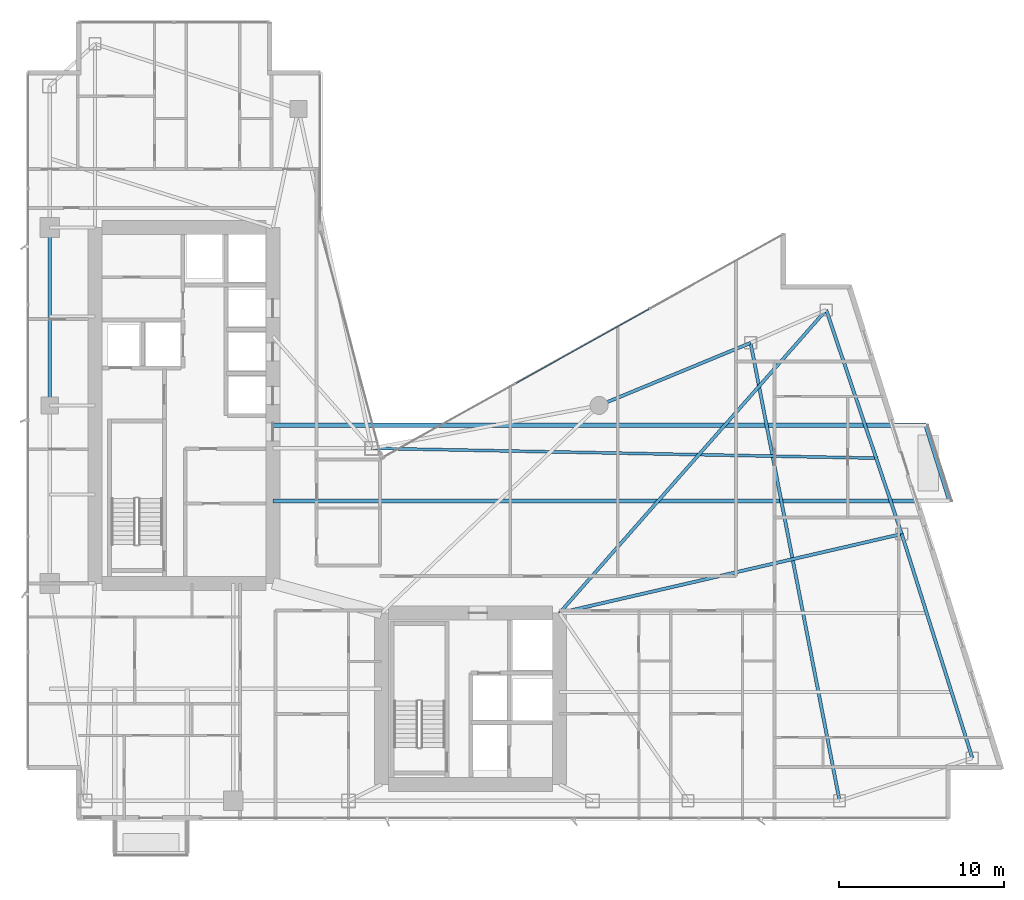
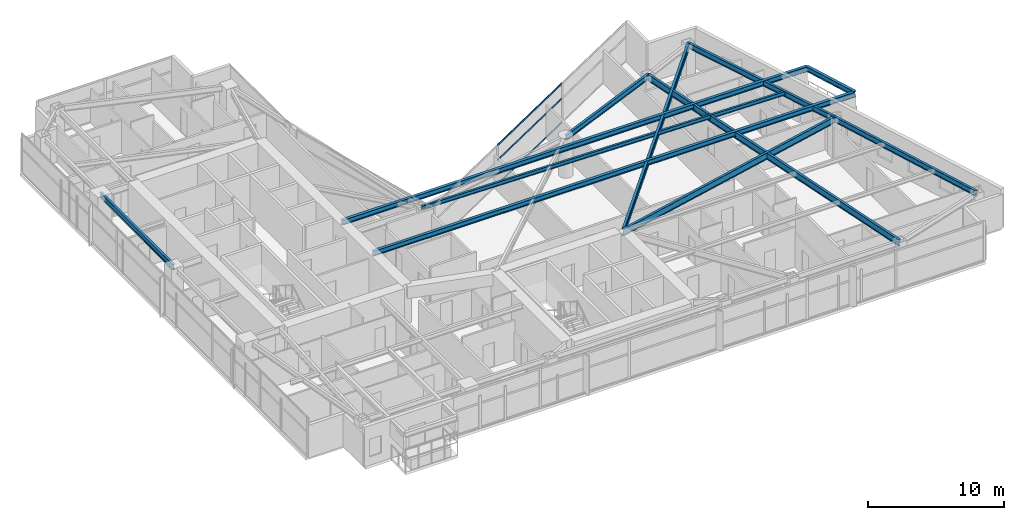
# One storey, part 15 of 28: 11 beams, 3 members, 1 element without a shape of its own.
"""IFC4 building model written with IfcOpenShell, lengths in metres."""

import ifcopenshell
import ifcopenshell.guid

model = None  # the IFC model being written
_history = None  # IfcOwnerHistory: only IFC2X3 demands one
_inside = {}  # id of a spatial element -> (the spatial element, [elements in it])
_under = {}  # id of a project, library or spatial element -> (it, [spatial elements below it])
_declared = {}  # id of a project -> (the project, [libraries it declares])
_typed = {}  # id of a type object -> (the type object, [elements of that type])
_made_of = {}  # id of a material, layer set ... -> (it, [elements and type objects made of it])


def new_model(schema):
    """Start an empty IFC model of exactly this schema.

    Asked for "IFC4X3", IfcOpenShell would pick the latest addendum, in which some entities
    have other attributes; the version numbers below select the first issue.
    IFC2X3 requires an IfcOwnerHistory on every rooted entity: one is made here for all.
    """
    global model, _history
    if schema == "IFC4X3":
        model = ifcopenshell.file(schema_version=(4, 3, 0, 0))
    else:
        model = ifcopenshell.file(schema=schema)
    _inside.clear()
    _under.clear()
    _declared.clear()
    _typed.clear()
    _made_of.clear()
    _history = None
    if model.schema == "IFC2X3":
        org = make("IfcOrganization", Name="unknown")
        user = make(
            "IfcPersonAndOrganization",
            ThePerson=make("IfcPerson", FamilyName="unknown"),
            TheOrganization=org,
        )
        app = make(
            "IfcApplication",
            ApplicationDeveloper=org,
            Version="unknown",
            ApplicationFullName="unknown",
            ApplicationIdentifier="unknown",
        )
        _history = make(
            "IfcOwnerHistory",
            OwningUser=user,
            OwningApplication=app,
            ChangeAction="ADDED",
            CreationDate=0,
        )
    return model


def make(cls, **values):
    """One entity of the class cls with the attributes given. An attribute that is None is left unset."""
    return model.create_entity(
        cls, **{name: value for name, value in values.items() if value is not None}
    )


def rooted(cls, **values):
    """An entity with a GlobalId (a new one), such as an element, a storey or a relation."""
    return make(cls, GlobalId=ifcopenshell.guid.new(), OwnerHistory=_history, **values)


def si_unit(unit_type, name, prefix=None):
    """IfcSIUnit, for example si_unit("LENGTHUNIT", "METRE", prefix="MILLI")."""
    return make("IfcSIUnit", UnitType=unit_type, Prefix=prefix, Name=name)


def assignment(units):
    """IfcUnitAssignment: the units of a project."""
    return None if units is None else make("IfcUnitAssignment", Units=units)


def point(xyz):
    """IfcCartesianPoint."""
    return None if xyz is None else make("IfcCartesianPoint", Coordinates=xyz)


def direction(xyz):
    """IfcDirection."""
    return None if xyz is None else make("IfcDirection", DirectionRatios=xyz)


def frame(location, z_axis=None, x_axis=None):
    """IfcAxis2Placement3D, a coordinate frame: its origin and axes. An axis left out is left unset."""
    return make(
        "IfcAxis2Placement3D",
        Location=point(location),
        Axis=direction(z_axis),
        RefDirection=direction(x_axis),
    )


def frame_2d(location, x_axis=None):
    """IfcAxis2Placement2D, a coordinate frame in the plane: its origin and x axis."""
    return make(
        "IfcAxis2Placement2D", Location=point(location), RefDirection=direction(x_axis)
    )


def origin():
    """The frame at (0, 0, 0) with its axes left unset."""
    return frame((0.0, 0.0, 0.0))


def origin_2d():
    """The frame at (0, 0) in the plane with its x axis left unset."""
    return frame_2d((0.0, 0.0))


def place(relative_to, where):
    """IfcLocalPlacement: puts the frame where relative to a parent placement (None: the world)."""
    return make(
        "IfcLocalPlacement", PlacementRelTo=relative_to, RelativePlacement=where
    )


def context(
    kind, dimensions, precision=None, world=None, true_north=None, identifier=None
):
    """IfcGeometricRepresentationContext, for example the 3D "Model" context."""
    return make(
        "IfcGeometricRepresentationContext",
        ContextIdentifier=identifier,
        ContextType=kind,
        CoordinateSpaceDimension=dimensions,
        Precision=precision,
        WorldCoordinateSystem=world,
        TrueNorth=true_north,
    )


def subcontext(parent, identifier, kind, view, scale=None):
    """IfcGeometricRepresentationSubContext, for example "Body" below "Model"."""
    return make(
        "IfcGeometricRepresentationSubContext",
        ContextIdentifier=identifier,
        ContextType=kind,
        ParentContext=parent,
        TargetScale=scale,
        TargetView=view,
    )


def project(units=None, contexts=None):
    """IfcProject with its units and contexts."""
    return rooted(
        "IfcProject",
        Name="project",
        RepresentationContexts=contexts,
        UnitsInContext=assignment(units),
    )


def spatial(cls, under=None, at=None, **own):
    """A site, building, storey or space (cls), placed at a placement, below another one or the project."""
    s = rooted(cls, ObjectPlacement=at, **own)
    if under is not None:
        _under.setdefault(under.id(), (under, []))[1].append(s)
    return s


def profile(cls, at=None, kind="AREA", **sizes):
    """A parametric profile (cls). Its sizes go by their IFC names, for example OverallWidth=200.0."""
    return make(cls, ProfileType=kind, Position=at, **sizes)


def hollow_rectangle(**sizes):
    """IfcRectangleHollowProfileDef."""
    return profile("IfcRectangleHollowProfileDef", **sizes)


def i_section(**sizes):
    """IfcIShapeProfileDef."""
    return profile("IfcIShapeProfileDef", **sizes)


def extrude(swept, where, along, depth):
    """IfcExtrudedAreaSolid: the profile swept, set in the frame where, extruded along a direction by depth."""
    return make(
        "IfcExtrudedAreaSolid",
        SweptArea=swept,
        Position=where,
        ExtrudedDirection=direction(along),
        Depth=depth,
    )


def shape(context_of_items, identifier, shape_type, items):
    """IfcShapeRepresentation: the items that make up one representation, for example the "Body"."""
    return make(
        "IfcShapeRepresentation",
        ContextOfItems=context_of_items,
        RepresentationIdentifier=identifier,
        RepresentationType=shape_type,
        Items=items,
    )


def material(Name=None, Category=None):
    """IfcMaterial."""
    return make("IfcMaterial", Name=Name, Category=Category)


def layer(
    of_material, thickness, ventilated=None, Name=None, Category=None, Priority=None
):
    """IfcMaterialLayer: one layer of a wall or slab, of a material (None: an air gap)."""
    return make(
        "IfcMaterialLayer",
        Material=of_material,
        LayerThickness=thickness,
        IsVentilated=ventilated,
        Name=Name,
        Category=Category,
        Priority=Priority,
    )


def layer_set(layers, Name=None):
    """IfcMaterialLayerSet."""
    return make("IfcMaterialLayerSet", MaterialLayers=layers, LayerSetName=Name)


def material_profile(
    of_material, cross_section, Name=None, Category=None, Priority=None
):
    """IfcMaterialProfile: a cross section and its material."""
    return make(
        "IfcMaterialProfile",
        Name=Name,
        Material=of_material,
        Profile=cross_section,
        Priority=Priority,
        Category=Category,
    )


def profile_set(profiles, Name=None, composite=None):
    """IfcMaterialProfileSet."""
    return make(
        "IfcMaterialProfileSet",
        Name=Name,
        MaterialProfiles=profiles,
        CompositeProfile=composite,
    )


def made_of(thing, what):
    """Note that an element or type object is made of a material, layer set ...; save() writes the relation."""
    if what is not None:
        _made_of.setdefault(what.id(), (what, []))[1].append(thing)
    return thing


def type_object(cls, material=None, **own):
    """A type object (cls), such as IfcWallType, which elements share."""
    return made_of(rooted(cls, **own), material)


def element(
    cls,
    number,
    at=None,
    inside=None,
    cuts=None,
    type_object=None,
    material=None,
    context=None,
    identifier="Body",
    shape_type=None,
    held_by="IfcProductDefinitionShape",
    body=None,
    shapes=None,
    **own,
):
    """One element of the class cls, such as IfcWall. Its Tag is "e" and its number.

    at: its placement. inside: the storey or other place that contains it. cuts: it is an
    opening in that element (IfcRelVoidsElement). A single representation is given by context,
    identifier, shape_type and body (its items); several are given by shapes. held_by: the class
    of the entity that holds the representations. save() writes the other relations.
    """
    e = rooted(cls, Tag="e%d" % number, ObjectPlacement=at, **own)
    if body is not None:
        shapes = [shape(context, identifier, shape_type, body)]
    if shapes is not None:
        e.Representation = make(held_by, Representations=shapes)
    if inside is not None:
        _inside.setdefault(inside.id(), (inside, []))[1].append(e)
    if cuts is not None:
        rooted(
            "IfcRelVoidsElement", RelatingBuildingElement=cuts, RelatedOpeningElement=e
        )
    if type_object is not None:
        _typed.setdefault(type_object.id(), (type_object, []))[1].append(e)
    return made_of(e, material)


def aggregate(whole, parts):
    """IfcRelAggregates: a whole, such as a stair, and the parts it consists of."""
    return rooted("IfcRelAggregates", RelatingObject=whole, RelatedObjects=parts)


def save(model, path):
    """Write the relations noted so far, then the file.

    IfcRelAggregates (storeys below a building ...), IfcRelContainedInSpatialStructure (elements
    in a storey), IfcRelDefinesByType, IfcRelAssociatesMaterial and IfcRelDeclares: one each for
    every whole, place, type object, material and project.
    """
    for whole, parts in _under.values():
        aggregate(whole, parts)
    for where, things in _inside.values():
        rooted(
            "IfcRelContainedInSpatialStructure",
            RelatedElements=things,
            RelatingStructure=where,
        )
    for kind, things in _typed.values():
        rooted("IfcRelDefinesByType", RelatedObjects=things, RelatingType=kind)
    for what, things in _made_of.values():
        rooted("IfcRelAssociatesMaterial", RelatedObjects=things, RelatingMaterial=what)
    for by, libraries in _declared.values():
        rooted("IfcRelDeclares", RelatingContext=by, RelatedDefinitions=libraries)
    model.write(path)


model = new_model("IFC4")

# Units and contexts
model_context = context("Model", 3, precision=1e-05, world=origin(), true_north=direction((0.0, 1.0)))
body_context = subcontext(model_context, "Body", "Model", "MODEL_VIEW")
ifc_project = project(units=[si_unit("LENGTHUNIT", "METRE"), si_unit("AREAUNIT", "SQUARE_METRE"), si_unit("VOLUMEUNIT", "CUBIC_METRE"), si_unit("PLANEANGLEUNIT", "RADIAN"), si_unit("MASSUNIT", "GRAM", prefix="KILO")], contexts=[model_context])

# Site, building, storey
site_placement = place(None, origin())
site = spatial("IfcSite", under=ifc_project, at=site_placement, CompositionType="ELEMENT")
building_placement = place(site_placement, origin())
building = spatial("IfcBuilding", under=site, at=building_placement, Name="Calvorn Quay Hotel", CompositionType="ELEMENT")
storey_placement = place(building_placement, frame((0.0, 0.0, 159.89990234375)))
storey = spatial("IfcBuildingStorey", under=building, at=storey_placement, Name="L39", CompositionType="ELEMENT", Elevation=159.89990234375)

# Beams
ifc_material_1 = material(Name="Steel Q355B", Category="steel")
ifc_material_profile_1 = material_profile(ifc_material_1, i_section(OverallWidth=0.25, OverallDepth=0.449951171875, WebThickness=0.011962890625, FlangeThickness=0.01611328125, FilletRadius=0.01611328125, at=origin_2d()), Name="HN450x250x12x16")
ifc_profile_set_1 = profile_set([ifc_material_profile_1], Name="Steel Q355B")
beam_type_1 = type_object("IfcBeamType", Name="BM-CANT-BALC", PredefinedType="BEAM", material=ifc_profile_set_1)
beam_1_placement = place(storey_placement, frame((15.0, 21.800048828125, 3.315185546875), z_axis=(1.0, 0.0, 0.0), x_axis=(0.0, 1.0, 0.0)))
element("IfcBeam", 1, at=beam_1_placement, inside=storey, type_object=beam_type_1, Name="Cantilever Balcony Beam BCB-L40-1A", PredefinedType="BEAM", context=body_context, shape_type="SweptSolid", body=[
    extrude(i_section(OverallWidth=0.25, OverallDepth=0.449951171875, WebThickness=0.011962890625, FlangeThickness=0.01611328125, FilletRadius=0.01611328125, at=origin_2d()), origin(), (0.0, 0.0, 1.0), 41.0859375),
])
beam_2_placement = place(storey_placement, frame((15.0, 26.39990234375, 3.315185546875), z_axis=(1.0, 0.0, 0.0), x_axis=(0.0, 1.0, 0.0)))
element("IfcBeam", 2, at=beam_2_placement, inside=storey, type_object=beam_type_1, Name="Cantilever Balcony Beam BCB-L40-1B", PredefinedType="BEAM", context=body_context, shape_type="SweptSolid", body=[
    extrude(i_section(OverallWidth=0.25, OverallDepth=0.449951171875, WebThickness=0.011962890625, FlangeThickness=0.01611328125, FilletRadius=0.01611328125, at=origin_2d()), origin(), (0.0, 0.0, 1.0), 39.636962890625),
])
beam_3_placement = place(storey_placement, frame((56.0859375, 21.800048828125, 3.315185546875), z_axis=(-0.300450487966, 0.953797412599, 0.0), x_axis=(-0.953797412599, -0.300450487966, 0.0)))
element("IfcBeam", 3, at=beam_3_placement, inside=storey, type_object=beam_type_1, Name="Beam BCBO-L40-1", PredefinedType="BEAM", context=body_context, shape_type="SweptSolid", body=[
    extrude(i_section(OverallWidth=0.25, OverallDepth=0.449951171875, WebThickness=0.011962890625, FlangeThickness=0.01611328125, FilletRadius=0.01611328125, at=origin_2d()), origin(), (0.0, 0.0, 1.0), 4.82275390625),
])
ifc_material_2 = material(Name="Steel Q355B", Category="steel")
ifc_material_profile_2 = material_profile(ifc_material_2, i_section(OverallWidth=0.199951171875, OverallDepth=0.60009765625, WebThickness=0.010986328125, FlangeThickness=0.01708984375, FilletRadius=0.01806640625, at=origin_2d()), Name="HN600x200x11x17")
ifc_profile_set_2 = profile_set([ifc_material_profile_2], Name="Steel Q355B")
beam_type_2 = type_object("IfcBeamType", Name="BM-GIRD-TYP", PredefinedType="BEAM", material=ifc_profile_set_2)
beam_4_placement = place(storey_placement, frame((32.39990234375, 15.0, 3.239990234375), z_axis=(0.974334045812, 0.225107012711, 0.0), x_axis=(-0.225107012711, 0.974334045812, 0.0)))
element("IfcBeam", 4, at=beam_4_placement, inside=storey, type_object=beam_type_2, Name="Beam BG-L39-E2", PredefinedType="BEAM", context=body_context, shape_type="SweptSolid", body=[
    extrude(i_section(OverallWidth=0.199951171875, OverallDepth=0.60009765625, WebThickness=0.010986328125, FlangeThickness=0.01708984375, FilletRadius=0.01806640625, at=origin_2d()), origin(), (0.0, 0.0, 1.0), 21.323486328125),
])
beam_5_placement = place(storey_placement, frame((32.39990234375, 15.0, 3.239990234375), z_axis=(0.660610604248, 0.750728732336, 0.0), x_axis=(-0.750728732336, 0.660610604248, 0.0)))
element("IfcBeam", 5, at=beam_5_placement, inside=storey, type_object=beam_type_2, Name="Beam BG-L39-E3", PredefinedType="BEAM", context=body_context, shape_type="SweptSolid", body=[
    extrude(i_section(OverallWidth=0.199951171875, OverallDepth=0.60009765625, WebThickness=0.010986328125, FlangeThickness=0.01708984375, FilletRadius=0.01806640625, at=origin_2d()), origin(), (0.0, 0.0, 1.0), 24.50927734375),
])
beam_6_placement = place(storey_placement, frame((49.39990234375, 3.60009765625, 3.239990234375), z_axis=(-0.190678596862, 0.981652521363, 0.0), x_axis=(-0.981652521363, -0.190678596862, 0.0)))
element("IfcBeam", 6, at=beam_6_placement, inside=storey, type_object=beam_type_2, Name="Beam BG-L39-E5", PredefinedType="BEAM", context=body_context, shape_type="SweptSolid", body=[
    extrude(i_section(OverallWidth=0.199951171875, OverallDepth=0.60009765625, WebThickness=0.010986328125, FlangeThickness=0.01708984375, FilletRadius=0.01806640625, at=origin_2d()), origin(), (0.0, 0.0, 1.0), 28.3193359375),
])
ifc_material_3 = material(Name="Steel Q355B", Category="steel")
ifc_material_profile_3 = material_profile(ifc_material_3, i_section(OverallWidth=0.175048828125, OverallDepth=0.35009765625, WebThickness=0.007080078125, FlangeThickness=0.010986328125, FilletRadius=0.013916015625, at=origin_2d()), Name="HN350x175x7x11")
ifc_profile_set_3 = profile_set([ifc_material_profile_3], Name="Steel Q355B")
beam_type_3 = type_object("IfcBeamType", Name="BM-JOIST-SEC", PredefinedType="JOIST", material=ifc_profile_set_3)
beam_7_placement = place(storey_placement, frame((21.0, 25.0, 3.364990234375), z_axis=(0.999809345134, -0.019526222968, 0.0), x_axis=(0.019526222968, 0.999809345134, 0.0)))
element("IfcBeam", 7, at=beam_7_placement, inside=storey, type_object=beam_type_3, Name="Beam BJ-L39-E3", PredefinedType="JOIST", context=body_context, shape_type="SweptSolid", body=[
    extrude(i_section(OverallWidth=0.175048828125, OverallDepth=0.35009765625, WebThickness=0.007080078125, FlangeThickness=0.010986328125, FilletRadius=0.013916015625, at=origin_2d()), origin(), (0.0, 0.0, 1.0), 30.73291015625),
])
ifc_material_4 = material(Name="Steel Q355B", Category="steel")
ifc_material_profile_4 = material_profile(ifc_material_4, i_section(OverallWidth=0.199951171875, OverallDepth=0.5, WebThickness=0.010009765625, FlangeThickness=0.01611328125, FilletRadius=0.01611328125, at=origin_2d()), Name="HN500x200x10x16")
ifc_profile_set_4 = profile_set([ifc_material_profile_4], Name="Steel Q355B")
beam_type_4 = type_object("IfcBeamType", Name="BM-SPANDREL-Z1", PredefinedType="SPANDREL", material=ifc_profile_set_4)
beam_8_placement = place(storey_placement, frame((1.449951171875, 27.60009765625, 3.2900390625), z_axis=(0.0, 1.0, 0.0), x_axis=(-1.0, 0.0, 0.0)))
element("IfcBeam", 8, at=beam_8_placement, inside=storey, type_object=beam_type_4, Name="Beam BSP-L39-W3", PredefinedType="SPANDREL", context=body_context, shape_type="SweptSolid", body=[
    extrude(i_section(OverallWidth=0.199951171875, OverallDepth=0.5, WebThickness=0.010009765625, FlangeThickness=0.01611328125, FilletRadius=0.01611328125, at=origin_2d()), origin(), (0.0, 0.0, 1.0), 10.7998046875),
])
beam_9_placement = place(storey_placement, frame((57.4609375, 6.199951171875, 3.2900390625), z_axis=(-0.300502802767, 0.953780931624, 0.0), x_axis=(-0.953780931624, -0.300502802767, 0.0)))
element("IfcBeam", 9, at=beam_9_placement, inside=storey, type_object=beam_type_4, Name="Beam BSP-L39-E1", PredefinedType="SPANDREL", context=body_context, shape_type="SweptSolid", body=[
    extrude(i_section(OverallWidth=0.199951171875, OverallDepth=0.5, WebThickness=0.010009765625, FlangeThickness=0.01611328125, FilletRadius=0.01611328125, at=origin_2d()), origin(), (0.0, 0.0, 1.0), 14.259033203125),
])
beam_10_placement = place(storey_placement, frame((53.176025390625, 19.800048828125, 3.2900390625), z_axis=(-0.319466515944, 0.947597564998, 0.0), x_axis=(-0.947597564998, -0.319466515944, 0.0)))
element("IfcBeam", 10, at=beam_10_placement, inside=storey, type_object=beam_type_4, Name="Beam BSP-L39-E2", PredefinedType="SPANDREL", context=body_context, shape_type="SweptSolid", body=[
    extrude(i_section(OverallWidth=0.199951171875, OverallDepth=0.5, WebThickness=0.010009765625, FlangeThickness=0.01611328125, FilletRadius=0.01611328125, at=origin_2d()), origin(), (0.0, 0.0, 1.0), 14.35205078125),
])
beam_11_placement = place(storey_placement, frame((44.0, 31.39990234375, 3.2900390625), z_axis=(-0.92426763497, -0.381745123017, 0.0), x_axis=(0.381745123017, -0.92426763497, 0.0)))
element("IfcBeam", 11, at=beam_11_placement, inside=storey, type_object=beam_type_4, Name="Beam BSP-L39-E4", PredefinedType="SPANDREL", context=body_context, shape_type="SweptSolid", body=[
    extrude(i_section(OverallWidth=0.199951171875, OverallDepth=0.5, WebThickness=0.010009765625, FlangeThickness=0.01611328125, FilletRadius=0.01611328125, at=origin_2d()), origin(), (0.0, 0.0, 1.0), 9.953857421875),
])

# Curtain wall, members
ifc_material_5 = material(Name="Pale Anodised Aluminium and Low-E Glass", Category="aluminium")
ifc_layer = layer(ifc_material_5, 0.219970703125)
ifc_layer_set = layer_set([ifc_layer], Name="CW-SYS-Z2")
curtain_wall_type = type_object("IfcCurtainWallType", Name="CW-SYS-Z2", PredefinedType="NOTDEFINED", material=ifc_layer_set)
curtain_wall_placement = place(storey_placement, origin())
curtain_wall = element("IfcCurtainWall", 12, at=curtain_wall_placement, inside=storey, type_object=curtain_wall_type, Name="Inner Court Curtain Wall L39-NE1", PredefinedType="NOTDEFINED")
ifc_material_6 = material(Name="Pale Anodised Aluminium 6063-T6", Category="aluminium")
ifc_material_profile_5 = material_profile(ifc_material_6, hollow_rectangle(XDim=0.06005859375, YDim=0.14990234375, WallThickness=0.00341796875, at=origin_2d()), Name="ALU-T150x60x3.5")
ifc_profile_set_5 = profile_set([ifc_material_profile_5], Name="Pale Anodised Aluminium 6063-T6")
member_type = type_object("IfcMemberType", Name="CW-SYS-Z2-TRN", PredefinedType="USERDEFINED", material=ifc_profile_set_5)
member_1_placement = place(storey_placement, frame((37.840576171875, 33.4521484375, 0.030029296875), z_axis=(-0.873483012802, -0.486854625474, 0.0), x_axis=(0.486854625474, -0.873483012802, 0.0)))
member_1 = element("IfcMember", 13, at=member_1_placement, type_object=member_type, Name="CW-L39-NE1 transom 2.1", ObjectType="TRANSOM", PredefinedType="USERDEFINED", context=body_context, shape_type="SweptSolid", body=[
    extrude(hollow_rectangle(XDim=0.06005859375, YDim=0.14990234375, WallThickness=0.00341796875, at=origin_2d()), origin(), (0.0, 0.0, 1.0), 9.25146484375),
])
member_2_placement = place(storey_placement, frame((37.840576171875, 33.4521484375, 2.2001953125), z_axis=(-0.873483012802, -0.486854625474, 0.0), x_axis=(0.486854625474, -0.873483012802, 0.0)))
member_2 = element("IfcMember", 14, at=member_2_placement, type_object=member_type, Name="CW-L39-NE1 transom 2.2", ObjectType="TRANSOM", PredefinedType="USERDEFINED", context=body_context, shape_type="SweptSolid", body=[
    extrude(hollow_rectangle(XDim=0.06005859375, YDim=0.14990234375, WallThickness=0.00341796875, at=origin_2d()), origin(), (0.0, 0.0, 1.0), 9.25146484375),
])
member_3_placement = place(storey_placement, frame((37.840576171875, 33.4521484375, 3.530029296875), z_axis=(-0.873483012802, -0.486854625474, 0.0), x_axis=(0.486854625474, -0.873483012802, 0.0)))
member_3 = element("IfcMember", 15, at=member_3_placement, type_object=member_type, Name="CW-L39-NE1 transom 2.3", ObjectType="TRANSOM", PredefinedType="USERDEFINED", context=body_context, shape_type="SweptSolid", body=[
    extrude(hollow_rectangle(XDim=0.06005859375, YDim=0.14990234375, WallThickness=0.00341796875, at=origin_2d()), origin(), (0.0, 0.0, 1.0), 9.25146484375),
])
aggregate(curtain_wall, [member_1, member_2, member_3])

save(model, "model.ifc")
